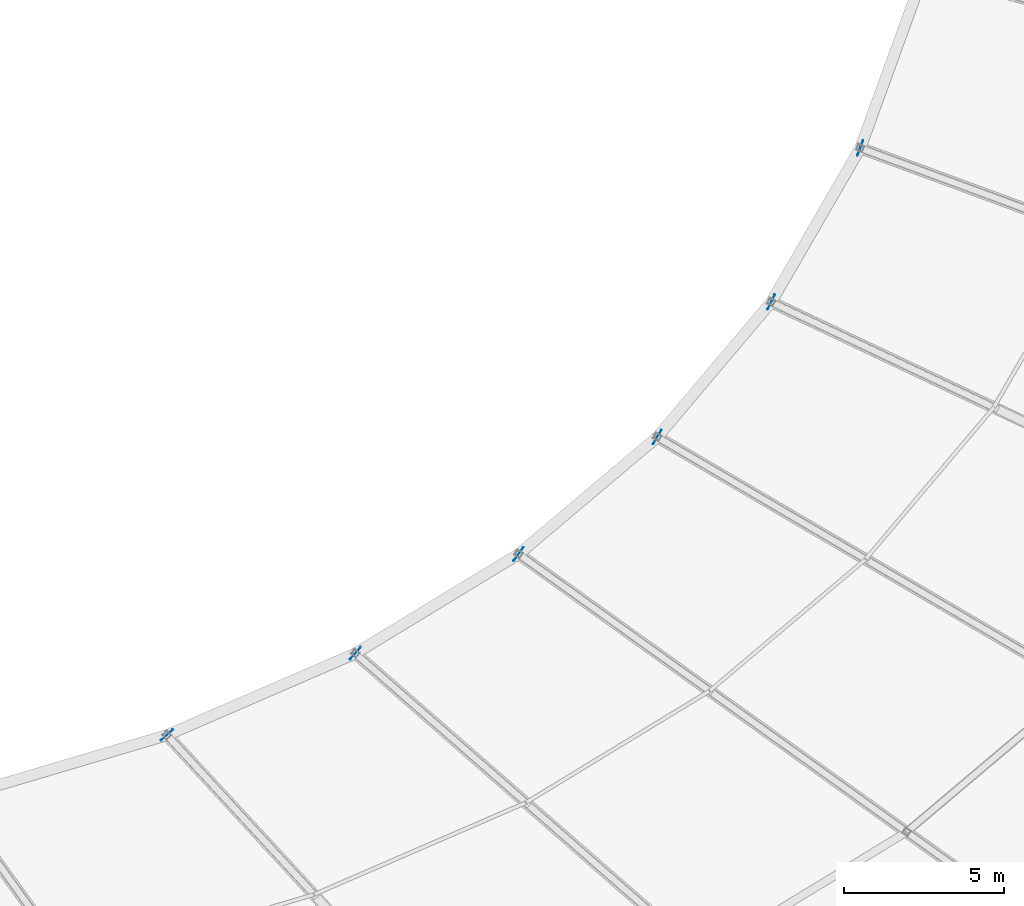
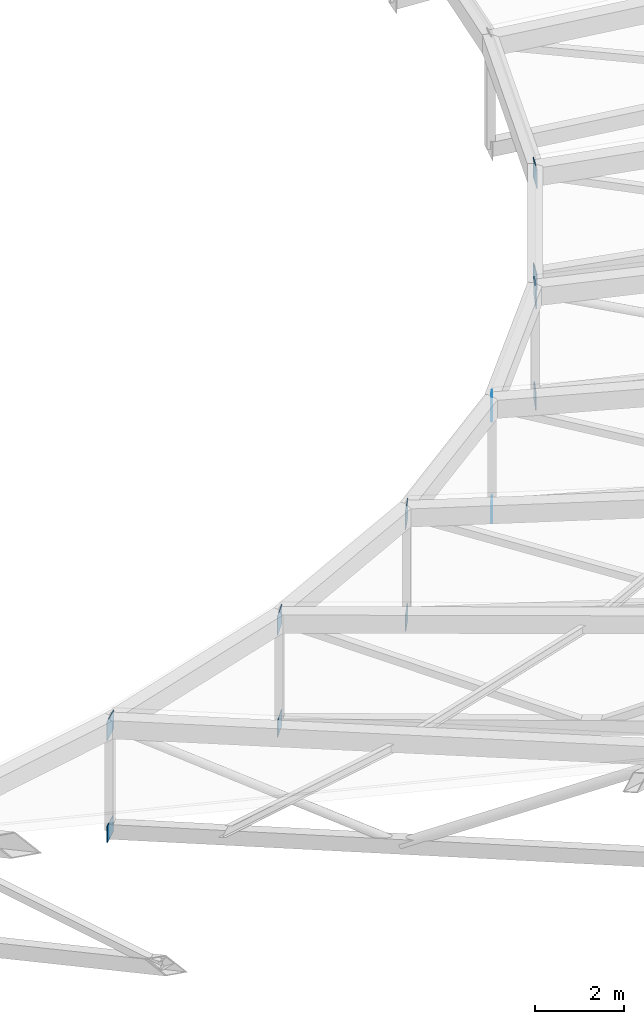
# One storey, part 123 of 143: 12 plates.
"""IFC4 building model written with IfcOpenShell, lengths in metres."""

from ifc_helpers import new_model, si_unit, direction, frame, origin, origin_2d, place, context, subcontext, project, spatial, rectangle, extrude, material, layer, layer_set, type_object, element, save


model = new_model("IFC4")

# Units and contexts
model_context = context("Model", 3, precision=1e-05, world=origin(), true_north=direction((0.0, 1.0)))
body_context = subcontext(model_context, "Body", "Model", "MODEL_VIEW")
ifc_project = project(units=[si_unit("LENGTHUNIT", "METRE"), si_unit("AREAUNIT", "SQUARE_METRE"), si_unit("VOLUMEUNIT", "CUBIC_METRE"), si_unit("PLANEANGLEUNIT", "RADIAN"), si_unit("MASSUNIT", "GRAM", prefix="KILO")], contexts=[model_context])

# Site, building, storey
site_placement = place(None, origin())
site = spatial("IfcSite", under=ifc_project, at=site_placement, CompositionType="ELEMENT")
building_placement = place(site_placement, origin())
building = spatial("IfcBuilding", under=site, at=building_placement, Name="Mphavela Belvedere Stadium", CompositionType="ELEMENT")
storey_placement = place(building_placement, frame((0.0, 0.0, 28.800048828125)))
storey = spatial("IfcBuildingStorey", under=building, at=storey_placement, Name="RF", CompositionType="ELEMENT", Elevation=28.800048828125)

# Plates
ifc_material_1 = material(Name="Steel S355", Category="steel")
ifc_layer_1 = layer(ifc_material_1, 0.01806640625)
ifc_layer_set_1 = layer_set([ifc_layer_1], Name="Steel S355")
plate_type_1 = type_object("IfcPlateType", Name="PLT-CAP-TRUSS-BC", PredefinedType="USERDEFINED", material=ifc_layer_set_1)
for number, where, z_axis, x_axis, name in (
    (1, (151.79248046875, 47.095703125, 2.76611328125), (0.0, 0.0, 1.0), (0.677903094969, -0.735151272753, 0.0), "Roof truss RT-41 hollow-end cap plate in_bc"),
    (2, (157.6845703125, 49.64990234375, 2.067138671875), (0.0, 0.0, 1.0), (0.752529860433, -0.658558128912, 0.0), "Roof truss RT-42 hollow-end cap plate in_bc"),
    (3, (162.7919921875, 52.75732421875, 1.317138671875), (0.0, 0.0, 1.0), (0.812897512265, -0.582406760395, 0.0), "Roof truss RT-43 hollow-end cap plate in_bc"),
    (4, (167.12890625, 56.416748046875, 0.56689453125), (0.0, 0.0, 1.0), (0.862513669207, -0.506033764121, 0.0), "Roof truss RT-44 hollow-end cap plate in_bc"),
    (5, (170.693603515625, 60.638427734375, -0.1318359375), (0.0, 0.0, 1.0), (0.903858661687, -0.4278311813, 0.0), "Roof truss RT-45 hollow-end cap plate in_bc"),
    (6, (173.47900390625, 65.4560546875, -0.732177734375), (0.0, 0.0, 1.0), (0.938372433776, -0.34562577382, 0.0), "Roof truss RT-46 hollow-end cap plate in_bc"),
):
    element("IfcPlate", number, at=place(storey_placement, frame(where, z_axis=z_axis, x_axis=x_axis)), inside=storey, type_object=plate_type_1, Name=name, ObjectType="GUSSET_PLATE", PredefinedType="USERDEFINED", context=body_context, shape_type="SweptSolid", body=[
        extrude(rectangle(XDim=0.01806640625, YDim=0.4599609375, at=origin_2d()), origin(), (0.0, 0.0, 1.0), 0.4599609375),
    ])
ifc_material_2 = material(Name="Steel S355", Category="steel")
ifc_layer_2 = layer(ifc_material_2, 0.02001953125)
ifc_layer_set_2 = layer_set([ifc_layer_2], Name="Steel S355")
plate_type_2 = type_object("IfcPlateType", Name="PLT-CAP-TRUSS-TC", PredefinedType="USERDEFINED", material=ifc_layer_set_2)
for number, where, z_axis, x_axis, name in (
    (7, (151.79248046875, 47.095703125, 5.586181640625), (0.0, 0.0, 1.0), (0.677903094969, -0.735151272753, 0.0), "Roof truss RT-41 hollow-end cap plate in_tc"),
    (8, (157.6845703125, 49.64990234375, 4.88720703125), (0.0, 0.0, 1.0), (0.752529860433, -0.658558128912, 0.0), "Roof truss RT-42 hollow-end cap plate in_tc"),
    (9, (162.7919921875, 52.75732421875, 4.136962890625), (0.0, 0.0, 1.0), (0.812897512265, -0.582406760395, 0.0), "Roof truss RT-43 hollow-end cap plate in_tc"),
    (10, (167.12890625, 56.416748046875, 3.386962890625), (0.0, 0.0, 1.0), (0.862513669207, -0.506033764121, 0.0), "Roof truss RT-44 hollow-end cap plate in_tc"),
    (11, (170.693603515625, 60.638427734375, 2.68798828125), (0.0, 0.0, 1.0), (0.903858661687, -0.4278311813, 0.0), "Roof truss RT-45 hollow-end cap plate in_tc"),
    (12, (173.47900390625, 65.4560546875, 2.087646484375), (0.0, 0.0, 1.0), (0.938372433776, -0.34562577382, 0.0), "Roof truss RT-46 hollow-end cap plate in_tc"),
):
    element("IfcPlate", number, at=place(storey_placement, frame(where, z_axis=z_axis, x_axis=x_axis)), inside=storey, type_object=plate_type_2, Name=name, ObjectType="GUSSET_PLATE", PredefinedType="USERDEFINED", context=body_context, shape_type="SweptSolid", body=[
        extrude(rectangle(XDim=0.02001953125, YDim=0.52001953125, at=origin_2d()), origin(), (0.0, 0.0, 1.0), 0.52001953125),
    ])

save(model, "model.ifc")
